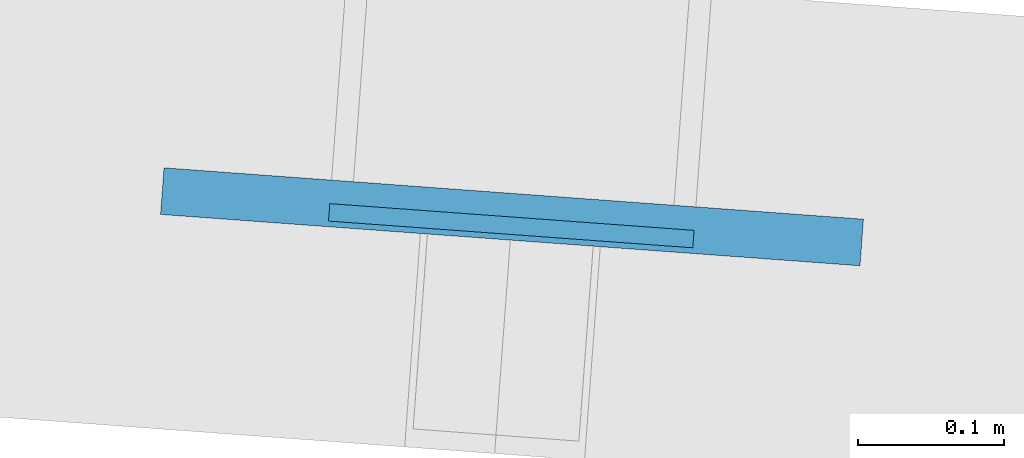
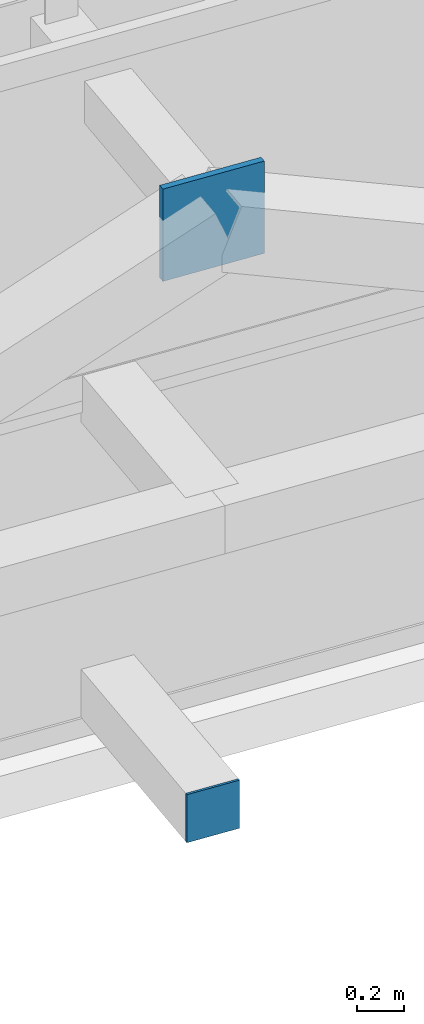
# One storey, part 25 of 35: 2 plates.
"""IFC4 building model written with IfcOpenShell, lengths in metres."""

import ifcopenshell
import ifcopenshell.guid

model = None  # the IFC model being written
_history = None  # IfcOwnerHistory: only IFC2X3 demands one
_inside = {}  # id of a spatial element -> (the spatial element, [elements in it])
_under = {}  # id of a project, library or spatial element -> (it, [spatial elements below it])
_declared = {}  # id of a project -> (the project, [libraries it declares])
_typed = {}  # id of a type object -> (the type object, [elements of that type])
_made_of = {}  # id of a material, layer set ... -> (it, [elements and type objects made of it])


def new_model(schema):
    """Start an empty IFC model of exactly this schema.

    Asked for "IFC4X3", IfcOpenShell would pick the latest addendum, in which some entities
    have other attributes; the version numbers below select the first issue.
    IFC2X3 requires an IfcOwnerHistory on every rooted entity: one is made here for all.
    """
    global model, _history
    if schema == "IFC4X3":
        model = ifcopenshell.file(schema_version=(4, 3, 0, 0))
    else:
        model = ifcopenshell.file(schema=schema)
    _inside.clear()
    _under.clear()
    _declared.clear()
    _typed.clear()
    _made_of.clear()
    _history = None
    if model.schema == "IFC2X3":
        org = make("IfcOrganization", Name="unknown")
        user = make(
            "IfcPersonAndOrganization",
            ThePerson=make("IfcPerson", FamilyName="unknown"),
            TheOrganization=org,
        )
        app = make(
            "IfcApplication",
            ApplicationDeveloper=org,
            Version="unknown",
            ApplicationFullName="unknown",
            ApplicationIdentifier="unknown",
        )
        _history = make(
            "IfcOwnerHistory",
            OwningUser=user,
            OwningApplication=app,
            ChangeAction="ADDED",
            CreationDate=0,
        )
    return model


def make(cls, **values):
    """One entity of the class cls with the attributes given. An attribute that is None is left unset."""
    return model.create_entity(
        cls, **{name: value for name, value in values.items() if value is not None}
    )


def rooted(cls, **values):
    """An entity with a GlobalId (a new one), such as an element, a storey or a relation."""
    return make(cls, GlobalId=ifcopenshell.guid.new(), OwnerHistory=_history, **values)


def si_unit(unit_type, name, prefix=None):
    """IfcSIUnit, for example si_unit("LENGTHUNIT", "METRE", prefix="MILLI")."""
    return make("IfcSIUnit", UnitType=unit_type, Prefix=prefix, Name=name)


def assignment(units):
    """IfcUnitAssignment: the units of a project."""
    return None if units is None else make("IfcUnitAssignment", Units=units)


def point(xyz):
    """IfcCartesianPoint."""
    return None if xyz is None else make("IfcCartesianPoint", Coordinates=xyz)


def direction(xyz):
    """IfcDirection."""
    return None if xyz is None else make("IfcDirection", DirectionRatios=xyz)


def frame(location, z_axis=None, x_axis=None):
    """IfcAxis2Placement3D, a coordinate frame: its origin and axes. An axis left out is left unset."""
    return make(
        "IfcAxis2Placement3D",
        Location=point(location),
        Axis=direction(z_axis),
        RefDirection=direction(x_axis),
    )


def frame_2d(location, x_axis=None):
    """IfcAxis2Placement2D, a coordinate frame in the plane: its origin and x axis."""
    return make(
        "IfcAxis2Placement2D", Location=point(location), RefDirection=direction(x_axis)
    )


def origin():
    """The frame at (0, 0, 0) with its axes left unset."""
    return frame((0.0, 0.0, 0.0))


def origin_2d():
    """The frame at (0, 0) in the plane with its x axis left unset."""
    return frame_2d((0.0, 0.0))


def place(relative_to, where):
    """IfcLocalPlacement: puts the frame where relative to a parent placement (None: the world)."""
    return make(
        "IfcLocalPlacement", PlacementRelTo=relative_to, RelativePlacement=where
    )


def context(
    kind, dimensions, precision=None, world=None, true_north=None, identifier=None
):
    """IfcGeometricRepresentationContext, for example the 3D "Model" context."""
    return make(
        "IfcGeometricRepresentationContext",
        ContextIdentifier=identifier,
        ContextType=kind,
        CoordinateSpaceDimension=dimensions,
        Precision=precision,
        WorldCoordinateSystem=world,
        TrueNorth=true_north,
    )


def subcontext(parent, identifier, kind, view, scale=None):
    """IfcGeometricRepresentationSubContext, for example "Body" below "Model"."""
    return make(
        "IfcGeometricRepresentationSubContext",
        ContextIdentifier=identifier,
        ContextType=kind,
        ParentContext=parent,
        TargetScale=scale,
        TargetView=view,
    )


def project(units=None, contexts=None):
    """IfcProject with its units and contexts."""
    return rooted(
        "IfcProject",
        Name="project",
        RepresentationContexts=contexts,
        UnitsInContext=assignment(units),
    )


def spatial(cls, under=None, at=None, **own):
    """A site, building, storey or space (cls), placed at a placement, below another one or the project."""
    s = rooted(cls, ObjectPlacement=at, **own)
    if under is not None:
        _under.setdefault(under.id(), (under, []))[1].append(s)
    return s


def profile(cls, at=None, kind="AREA", **sizes):
    """A parametric profile (cls). Its sizes go by their IFC names, for example OverallWidth=200.0."""
    return make(cls, ProfileType=kind, Position=at, **sizes)


def rectangle(**sizes):
    """IfcRectangleProfileDef."""
    return profile("IfcRectangleProfileDef", **sizes)


def extrude(swept, where, along, depth):
    """IfcExtrudedAreaSolid: the profile swept, set in the frame where, extruded along a direction by depth."""
    return make(
        "IfcExtrudedAreaSolid",
        SweptArea=swept,
        Position=where,
        ExtrudedDirection=direction(along),
        Depth=depth,
    )


def shape(context_of_items, identifier, shape_type, items):
    """IfcShapeRepresentation: the items that make up one representation, for example the "Body"."""
    return make(
        "IfcShapeRepresentation",
        ContextOfItems=context_of_items,
        RepresentationIdentifier=identifier,
        RepresentationType=shape_type,
        Items=items,
    )


def source(mapping_origin, context_of_items, identifier, shape_type, items):
    """IfcRepresentationMap: a shape defined once, which mapped items show again and again."""
    return make(
        "IfcRepresentationMap",
        MappingOrigin=mapping_origin,
        MappedRepresentation=shape(context_of_items, identifier, shape_type, items),
    )


def transform(
    local_origin,
    x_axis=None,
    y_axis=None,
    z_axis=None,
    scale=None,
    scale2=None,
    scale3=None,
    uniform=True,
):
    """IfcCartesianTransformationOperator3D, or its non-uniform kind. x_axis, y_axis, z_axis: its Axis1, 2, 3."""
    if uniform:
        return make(
            "IfcCartesianTransformationOperator3D",
            Axis1=direction(x_axis),
            Axis2=direction(y_axis),
            LocalOrigin=point(local_origin),
            Scale=scale,
            Axis3=direction(z_axis),
        )
    return make(
        "IfcCartesianTransformationOperator3DnonUniform",
        Axis1=direction(x_axis),
        Axis2=direction(y_axis),
        LocalOrigin=point(local_origin),
        Scale=scale,
        Axis3=direction(z_axis),
        Scale2=scale2,
        Scale3=scale3,
    )


def mapped(mapping_source, mapping_target):
    """IfcMappedItem: shows the shape of a source again, moved by a transform."""
    return make(
        "IfcMappedItem", MappingSource=mapping_source, MappingTarget=mapping_target
    )


def material(Name=None, Category=None):
    """IfcMaterial."""
    return make("IfcMaterial", Name=Name, Category=Category)


def layer(
    of_material, thickness, ventilated=None, Name=None, Category=None, Priority=None
):
    """IfcMaterialLayer: one layer of a wall or slab, of a material (None: an air gap)."""
    return make(
        "IfcMaterialLayer",
        Material=of_material,
        LayerThickness=thickness,
        IsVentilated=ventilated,
        Name=Name,
        Category=Category,
        Priority=Priority,
    )


def layer_set(layers, Name=None):
    """IfcMaterialLayerSet."""
    return make("IfcMaterialLayerSet", MaterialLayers=layers, LayerSetName=Name)


def made_of(thing, what):
    """Note that an element or type object is made of a material, layer set ...; save() writes the relation."""
    if what is not None:
        _made_of.setdefault(what.id(), (what, []))[1].append(thing)
    return thing


def type_object(cls, material=None, **own):
    """A type object (cls), such as IfcWallType, which elements share."""
    return made_of(rooted(cls, **own), material)


def element(
    cls,
    number,
    at=None,
    inside=None,
    cuts=None,
    type_object=None,
    material=None,
    context=None,
    identifier="Body",
    shape_type=None,
    held_by="IfcProductDefinitionShape",
    body=None,
    shapes=None,
    **own,
):
    """One element of the class cls, such as IfcWall. Its Tag is "e" and its number.

    at: its placement. inside: the storey or other place that contains it. cuts: it is an
    opening in that element (IfcRelVoidsElement). A single representation is given by context,
    identifier, shape_type and body (its items); several are given by shapes. held_by: the class
    of the entity that holds the representations. save() writes the other relations.
    """
    e = rooted(cls, Tag="e%d" % number, ObjectPlacement=at, **own)
    if body is not None:
        shapes = [shape(context, identifier, shape_type, body)]
    if shapes is not None:
        e.Representation = make(held_by, Representations=shapes)
    if inside is not None:
        _inside.setdefault(inside.id(), (inside, []))[1].append(e)
    if cuts is not None:
        rooted(
            "IfcRelVoidsElement", RelatingBuildingElement=cuts, RelatedOpeningElement=e
        )
    if type_object is not None:
        _typed.setdefault(type_object.id(), (type_object, []))[1].append(e)
    return made_of(e, material)


def aggregate(whole, parts):
    """IfcRelAggregates: a whole, such as a stair, and the parts it consists of."""
    return rooted("IfcRelAggregates", RelatingObject=whole, RelatedObjects=parts)


def save(model, path):
    """Write the relations noted so far, then the file.

    IfcRelAggregates (storeys below a building ...), IfcRelContainedInSpatialStructure (elements
    in a storey), IfcRelDefinesByType, IfcRelAssociatesMaterial and IfcRelDeclares: one each for
    every whole, place, type object, material and project.
    """
    for whole, parts in _under.values():
        aggregate(whole, parts)
    for where, things in _inside.values():
        rooted(
            "IfcRelContainedInSpatialStructure",
            RelatedElements=things,
            RelatingStructure=where,
        )
    for kind, things in _typed.values():
        rooted("IfcRelDefinesByType", RelatedObjects=things, RelatingType=kind)
    for what, things in _made_of.values():
        rooted("IfcRelAssociatesMaterial", RelatedObjects=things, RelatingMaterial=what)
    for by, libraries in _declared.values():
        rooted("IfcRelDeclares", RelatingContext=by, RelatedDefinitions=libraries)
    model.write(path)


model = new_model("IFC4")

# Units and contexts
model_context = context("Model", 3, precision=1e-05, world=origin(), true_north=direction((0.0, 1.0)))
body_context = subcontext(model_context, "Body", "Model", "MODEL_VIEW")
ifc_project = project(units=[si_unit("LENGTHUNIT", "METRE"), si_unit("AREAUNIT", "SQUARE_METRE"), si_unit("VOLUMEUNIT", "CUBIC_METRE"), si_unit("PLANEANGLEUNIT", "RADIAN"), si_unit("MASSUNIT", "GRAM", prefix="KILO")], contexts=[model_context])

# Site, building, storey
site_placement = place(None, origin())
site = spatial("IfcSite", under=ifc_project, at=site_placement, CompositionType="ELEMENT")
building_placement = place(site_placement, origin())
building = spatial("IfcBuilding", under=site, at=building_placement, Name="Taldren Reach Tower", CompositionType="ELEMENT")
storey_placement = place(building_placement, frame((0.0, 0.0, 249.199951171875)))
storey = spatial("IfcBuildingStorey", under=building, at=storey_placement, Name="L76", CompositionType="ELEMENT", Elevation=249.199951171875)

# Plates
ifc_material_1 = material(Name="Steel Gr 350 (C350L0)", Category="steel")
ifc_layer_1 = layer(ifc_material_1, 0.011962890625)
ifc_layer_set_1 = layer_set([ifc_layer_1], Name="Steel Gr 350 (C350L0)")
plate_type_1 = type_object("IfcPlateType", Name="PL-CAP-250", PredefinedType="SHEET", material=ifc_layer_set_1)
shared_shape_1 = source(origin(), body_context, "Body", "SweptSolid", [
    extrude(rectangle(XDim=0.25, YDim=0.011962890625, at=origin_2d()), origin(), (0.0, 0.0, 1.0), 0.25),
])
plate_1_placement = place(storey_placement, frame((37.406494140625, 3.264892578125, 0.094970703125), z_axis=(0.0, 0.0, 1.0), x_axis=(0.997314477224, -0.073238197128, 0.0)))
element("IfcPlate", 1, at=plate_1_placement, inside=storey, type_object=plate_type_1, Name="Tie strut end cap plate B5-S4 L76", PredefinedType="SHEET", context=body_context, shape_type="MappedRepresentation", body=[
    mapped(shared_shape_1, transform((0.0, 0.0, 0.0), scale=1.0)),
])
ifc_material_2 = material(Name="Steel Gr 450 (C450L0)", Category="steel")
ifc_layer_2 = layer(ifc_material_2, 0.031982421875)
ifc_layer_set_2 = layer_set([ifc_layer_2], Name="Steel Gr 450 (C450L0)")
plate_type_2 = type_object("IfcPlateType", Name="PL-GUSSET-32", PredefinedType="SHEET", material=ifc_layer_set_2)
shared_shape_2 = source(origin(), body_context, "Body", "SweptSolid", [
    extrude(rectangle(XDim=0.47998046875, YDim=0.031982421875, at=origin_2d()), origin(), (0.0, 0.0, 1.0), 0.47998046875),
])
plate_2_placement = place(storey_placement, frame((37.406982421875, 3.27099609375, 3.050048828125), z_axis=(0.0, 0.0, 1.0), x_axis=(0.997314477224, -0.073238197128, 0.0)))
element("IfcPlate", 2, at=plate_2_placement, inside=storey, type_object=plate_type_2, Name="Exoskeleton star-node gusset plate B5-S4 L76", PredefinedType="SHEET", context=body_context, shape_type="MappedRepresentation", body=[
    mapped(shared_shape_2, transform((0.0, 0.0, 0.0), scale=1.0)),
])

save(model, "model.ifc")
